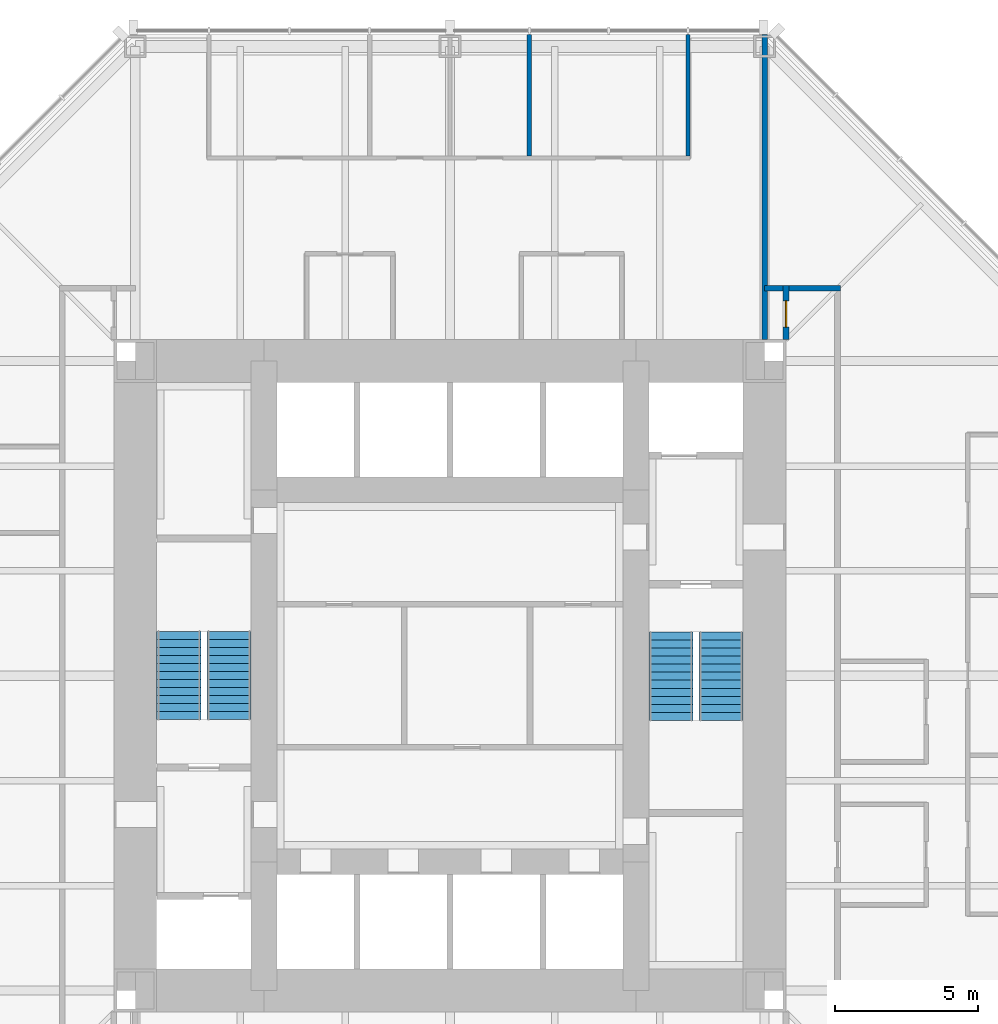
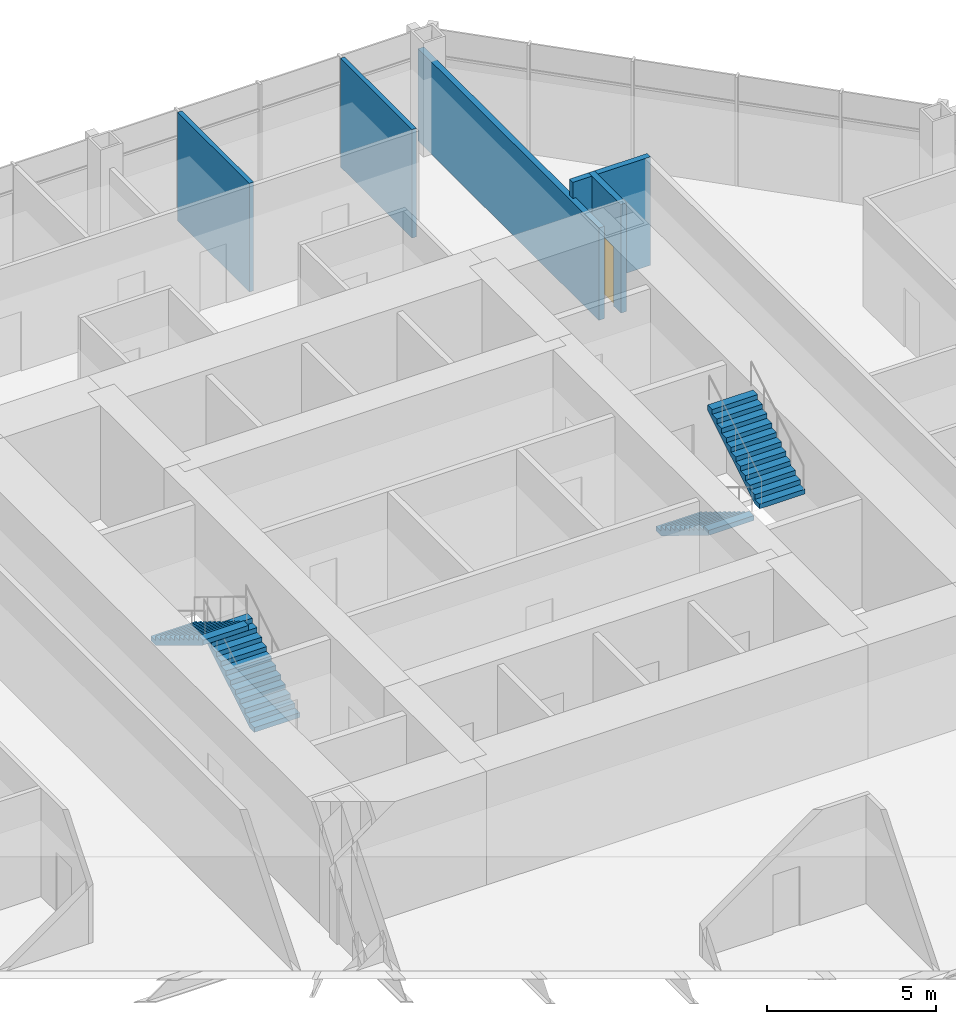
# One storey, part 11 of 12: 5 walls, 4 stair flights, 1 door, 1 opening, 2 elements without a shape of their own.
"""IFC4 building model written with IfcOpenShell, lengths in metres."""

from ifc_helpers import new_model, si_unit, direction, frame, frame_2d, origin, place, context, subcontext, project, spatial, polyline, rectangle, outline, extrude, material, layer, layer_set, type_object, element, fill, aggregate, save


model = new_model("IFC4")

# Units and contexts
model_context = context("Model", 3, precision=1e-05, world=origin(), true_north=direction((0.0, 1.0)))
body_context = subcontext(model_context, "Body", "Model", "MODEL_VIEW")
ifc_project = project(units=[si_unit("LENGTHUNIT", "METRE"), si_unit("AREAUNIT", "SQUARE_METRE"), si_unit("VOLUMEUNIT", "CUBIC_METRE"), si_unit("PLANEANGLEUNIT", "RADIAN"), si_unit("MASSUNIT", "GRAM", prefix="KILO")], contexts=[model_context])

# Site, building, storey
site_placement = place(None, origin())
site = spatial("IfcSite", under=ifc_project, at=site_placement, CompositionType="ELEMENT")
building_placement = place(site_placement, origin())
building = spatial("IfcBuilding", under=site, at=building_placement, Name="Trevanion Tower", CompositionType="ELEMENT")
storey_placement = place(building_placement, frame((0.0, 0.0, 129.5)))
storey = spatial("IfcBuildingStorey", under=building, at=storey_placement, Name="L30", CompositionType="ELEMENT", Elevation=129.5)

# Walls
ifc_material_1 = material(Name="Gypsum board on steel studs", Category="steel")
ifc_layer_1 = layer(ifc_material_1, 0.14990234375)
ifc_layer_set_1 = layer_set([ifc_layer_1], Name="PT1 partition 150")
wall_type_1 = type_object("IfcWallType", Name="PT1 partition 150", PredefinedType="PARTITIONING", material=ifc_layer_set_1)
for number, where, z_axis, x_axis, name in (
    (1, (8.322998046875, 18.175048828125, 0.0), (0.0, 0.0, 1.0), (0.0, 1.0, 0.0), "PT1 L30 FC1S0"),
    (2, (2.77490234375, 18.175048828125, 0.0), (0.0, 0.0, 1.0), (0.0, 1.0, 0.0), "PT1 L30 FC1S2"),
):
    element("IfcWall", number, at=place(storey_placement, frame(where, z_axis=z_axis, x_axis=x_axis)), inside=storey, type_object=wall_type_1, Name=name, PredefinedType="PARTITIONING", context=body_context, shape_type="SweptSolid", body=[
        extrude(rectangle(XDim=4.239990234375, YDim=0.14990234375, at=frame_2d((2.1201171875, 0.0))), origin(), (0.0, 0.0, 1.0), 3.909912109375),
    ])

# Wall, opening, door
ifc_material_2 = material(Name="Concrete masonry, grouted", Category="masonry")
ifc_layer_2 = layer(ifc_material_2, 0.199951171875)
ifc_layer_set_2 = layer_set([ifc_layer_2], Name="PT2 partition 200 1 HR")
wall_type_2 = type_object("IfcWallType", Name="PT2 partition 200 1 HR", PredefinedType="PARTITIONING", material=ifc_layer_set_2)
wall_1_placement = place(storey_placement, frame((11.75, 11.75, 0.0), z_axis=(0.0, 0.0, 1.0), x_axis=(0.0, 1.0, 0.0)))
wall_1 = element("IfcWall", 3, at=wall_1_placement, inside=storey, type_object=wall_type_2, Name="PT2 L30 OUNE1", PredefinedType="PARTITIONING", context=body_context, shape_type="SweptSolid", body=[
    extrude(rectangle(XDim=1.89990234375, YDim=0.199951171875, at=frame_2d((0.949951171875, 0.0))), origin(), (0.0, 0.0, 1.0), 3.909912109375),
])
opening_placement = place(wall_1_placement, frame((0.4423828125, 0.0, 0.0)))
opening = element("IfcOpeningElement", 4, at=opening_placement, cuts=wall_1, Name="Opening 30-018", PredefinedType="OPENING", context=body_context, shape_type="SweptSolid", body=[
    extrude(rectangle(XDim=0.9150390625, YDim=2.134033203125, at=frame_2d((0.45751953125, 1.06689453125))), frame((0.0, 0.10986328125, 0.0), z_axis=(0.0, -1.0, 0.0), x_axis=(1.0, 0.0, 0.0)), (0.0, 0.0, 1.0), 0.219970703125),
])
ifc_material_3 = material(Name="Timber veneer, fire rated", Category="wood")
door_type = type_object("IfcDoorType", Name="D10 office door in a one hour wall", OperationType="SINGLE_SWING_LEFT", PredefinedType="DOOR", material=ifc_material_3)
door_placement = place(opening_placement, frame((0.9150390625, 0.0, 0.0), z_axis=(0.0, 0.0, 1.0), x_axis=(-1.0, 0.0, 0.0)))
door = element("IfcDoor", 5, at=door_placement, inside=storey, type_object=door_type, Name="Door 30-018", OperationType="SINGLE_SWING_LEFT", OverallHeight=2.134033203125, OverallWidth=0.9150390625, PredefinedType="DOOR", context=body_context, shape_type="SweptSolid", body=[
    extrude(rectangle(XDim=0.9150390625, YDim=2.134033203125, at=frame_2d((0.45751953125, 1.06689453125))), frame((0.0, 0.02490234375, 0.0), z_axis=(0.0, -1.0, 0.0), x_axis=(1.0, 0.0, 0.0)), (0.0, 0.0, 1.0), 0.050048828125),
])
fill(opening, door)

# Walls
wall_2_placement = place(storey_placement, frame((11.0, 13.550048828125, 0.0), z_axis=(0.0, 0.0, 1.0), x_axis=(1.0, 0.0, 0.0)))
element("IfcWall", 6, at=wall_2_placement, inside=storey, type_object=wall_type_2, Name="PT2 L30 OUNE2", PredefinedType="PARTITIONING", context=body_context, shape_type="SweptSolid", body=[
    extrude(rectangle(XDim=2.64990234375, YDim=0.199951171875, at=frame_2d((1.324951171875, 0.0))), origin(), (0.0, 0.0, 1.0), 3.909912109375),
])
wall_3_placement = place(storey_placement, frame((11.0, 11.75, 0.0), z_axis=(0.0, 0.0, 1.0), x_axis=(0.0, 1.0, 0.0)))
element("IfcWall", 7, at=wall_3_placement, inside=storey, type_object=wall_type_2, Name="PT2 L30 DM0", PredefinedType="PARTITIONING", context=body_context, shape_type="SweptSolid", body=[
    extrude(rectangle(XDim=10.6650390625, YDim=0.199951171875, at=frame_2d((5.33251953125, 0.0))), origin(), (0.0, 0.0, 1.0), 3.32568359375),
])

# Stair, stair flights
ifc_material_4 = material(Name="Concrete 5,000 psi on steel stringers", Category="concrete")
stair_type = type_object("IfcStairType", Name="ST stair", PredefinedType="HALF_TURN_STAIR", material=ifc_material_4)
stair_1_placement = place(storey_placement, origin())
stair_1 = element("IfcStair", 8, at=stair_1_placement, inside=storey, type_object=stair_type, Name="ST1 L30", PredefinedType="HALF_TURN_STAIR")
ifc_material_5 = material(Name="Concrete 5,000 psi in steel pan", Category="concrete")
stair_flight_type = type_object("IfcStairFlightType", Name="STF stair flight", PredefinedType="STRAIGHT", material=ifc_material_5)
stair_flight_1_placement = place(storey_placement, frame((7.72509765625, 1.52490234375, 0.0), z_axis=(0.0, 0.0, 1.0), x_axis=(0.0, -1.0, 0.0)))
stair_flight_1 = element("IfcStairFlight", 9, at=stair_flight_1_placement, type_object=stair_flight_type, Name="ST1 flight 1", NumberOfRisers=12, NumberOfTreads=11, PredefinedType="STRAIGHT", RiserHeight=0.170833333, TreadLength=0.28, context=body_context, shape_type="SweptSolid", body=[
    extrude(outline(polyline([(0.0, 0.0), (0.0, 0.1708984375), (0.280029296875, 0.1708984375), (0.280029296875, 0.341552734375), (0.56005859375, 0.341552734375), (0.56005859375, 0.512451171875), (0.840087890625, 0.512451171875), (0.840087890625, 0.683349609375), (1.1201171875, 0.683349609375), (1.1201171875, 0.854248046875), (1.39990234375, 0.854248046875), (1.39990234375, 1.02490234375), (1.679931640625, 1.02490234375), (1.679931640625, 1.19580078125), (1.9599609375, 1.19580078125), (1.9599609375, 1.36669921875), (2.239990234375, 1.36669921875), (2.239990234375, 1.53759765625), (2.52001953125, 1.53759765625), (2.52001953125, 1.708251953125), (2.800048828125, 1.708251953125), (2.800048828125, 1.879150390625), (3.080078125, 1.879150390625), (3.080078125, 2.050048828125), (3.080078125, 1.70361328125), (0.287841796875, 0.0), (0.0, 0.0)])), frame((0.0, 0.77490234375, 0.0), z_axis=(0.0, -1.0, 0.0), x_axis=(1.0, 0.0, 0.0)), (0.0, 0.0, 1.0), 1.550048828125),
])
stair_flight_2_placement = place(storey_placement, frame((9.47509765625, -1.554931640625, 2.050048828125), z_axis=(0.0, 0.0, 1.0), x_axis=(0.0, 1.0, 0.0)))
stair_flight_2 = element("IfcStairFlight", 10, at=stair_flight_2_placement, type_object=stair_flight_type, Name="ST1 flight 2", NumberOfRisers=12, NumberOfTreads=11, PredefinedType="STRAIGHT", RiserHeight=0.170833333, TreadLength=0.28, context=body_context, shape_type="SweptSolid", body=[
    extrude(outline(polyline([(0.0, 0.0), (0.0, 0.1708984375), (0.280029296875, 0.1708984375), (0.280029296875, 0.341552734375), (0.56005859375, 0.341552734375), (0.56005859375, 0.512451171875), (0.840087890625, 0.512451171875), (0.840087890625, 0.683349609375), (1.1201171875, 0.683349609375), (1.1201171875, 0.854248046875), (1.39990234375, 0.854248046875), (1.39990234375, 1.02490234375), (1.679931640625, 1.02490234375), (1.679931640625, 1.19580078125), (1.9599609375, 1.19580078125), (1.9599609375, 1.36669921875), (2.239990234375, 1.36669921875), (2.239990234375, 1.53759765625), (2.52001953125, 1.53759765625), (2.52001953125, 1.708251953125), (2.800048828125, 1.708251953125), (2.800048828125, 1.879150390625), (3.080078125, 1.879150390625), (3.080078125, 2.050048828125), (3.080078125, 1.70361328125), (0.287841796875, 0.0), (0.0, 0.0)])), frame((0.0, 0.77490234375, 0.0), z_axis=(0.0, -1.0, 0.0), x_axis=(1.0, 0.0, 0.0)), (0.0, 0.0, 1.0), 1.550048828125),
])
aggregate(stair_1, [stair_flight_1, stair_flight_2])

stair_2_placement = place(storey_placement, origin())
stair_2 = element("IfcStair", 11, at=stair_2_placement, inside=storey, type_object=stair_type, Name="ST2 L30", PredefinedType="HALF_TURN_STAIR")
stair_flight_3_placement = place(storey_placement, frame((-7.72509765625, -1.52490234375, 0.0), z_axis=(0.0, 0.0, 1.0), x_axis=(0.0, 1.0, 0.0)))
stair_flight_3 = element("IfcStairFlight", 12, at=stair_flight_3_placement, type_object=stair_flight_type, Name="ST2 flight 1", NumberOfRisers=12, NumberOfTreads=11, PredefinedType="STRAIGHT", RiserHeight=0.170833333, TreadLength=0.28, context=body_context, shape_type="SweptSolid", body=[
    extrude(outline(polyline([(0.0, 0.0), (0.0, 0.1708984375), (0.280029296875, 0.1708984375), (0.280029296875, 0.341552734375), (0.56005859375, 0.341552734375), (0.56005859375, 0.512451171875), (0.840087890625, 0.512451171875), (0.840087890625, 0.683349609375), (1.1201171875, 0.683349609375), (1.1201171875, 0.854248046875), (1.39990234375, 0.854248046875), (1.39990234375, 1.02490234375), (1.679931640625, 1.02490234375), (1.679931640625, 1.19580078125), (1.9599609375, 1.19580078125), (1.9599609375, 1.36669921875), (2.239990234375, 1.36669921875), (2.239990234375, 1.53759765625), (2.52001953125, 1.53759765625), (2.52001953125, 1.708251953125), (2.800048828125, 1.708251953125), (2.800048828125, 1.879150390625), (3.080078125, 1.879150390625), (3.080078125, 2.050048828125), (3.080078125, 1.70361328125), (0.287841796875, 0.0), (0.0, 0.0)])), frame((0.0, 0.77490234375, 0.0), z_axis=(0.0, -1.0, 0.0), x_axis=(1.0, 0.0, 0.0)), (0.0, 0.0, 1.0), 1.550048828125),
])
stair_flight_4_placement = place(storey_placement, frame((-9.47509765625, 1.554931640625, 2.050048828125), z_axis=(0.0, 0.0, 1.0), x_axis=(0.0, -1.0, 0.0)))
stair_flight_4 = element("IfcStairFlight", 13, at=stair_flight_4_placement, type_object=stair_flight_type, Name="ST2 flight 2", NumberOfRisers=12, NumberOfTreads=11, PredefinedType="STRAIGHT", RiserHeight=0.170833333, TreadLength=0.28, context=body_context, shape_type="SweptSolid", body=[
    extrude(outline(polyline([(0.0, 0.0), (0.0, 0.1708984375), (0.280029296875, 0.1708984375), (0.280029296875, 0.341552734375), (0.56005859375, 0.341552734375), (0.56005859375, 0.512451171875), (0.840087890625, 0.512451171875), (0.840087890625, 0.683349609375), (1.1201171875, 0.683349609375), (1.1201171875, 0.854248046875), (1.39990234375, 0.854248046875), (1.39990234375, 1.02490234375), (1.679931640625, 1.02490234375), (1.679931640625, 1.19580078125), (1.9599609375, 1.19580078125), (1.9599609375, 1.36669921875), (2.239990234375, 1.36669921875), (2.239990234375, 1.53759765625), (2.52001953125, 1.53759765625), (2.52001953125, 1.708251953125), (2.800048828125, 1.708251953125), (2.800048828125, 1.879150390625), (3.080078125, 1.879150390625), (3.080078125, 2.050048828125), (3.080078125, 1.70361328125), (0.287841796875, 0.0), (0.0, 0.0)])), frame((0.0, 0.77490234375, 0.0), z_axis=(0.0, -1.0, 0.0), x_axis=(1.0, 0.0, 0.0)), (0.0, 0.0, 1.0), 1.550048828125),
])
aggregate(stair_2, [stair_flight_3, stair_flight_4])

save(model, "model.ifc")
